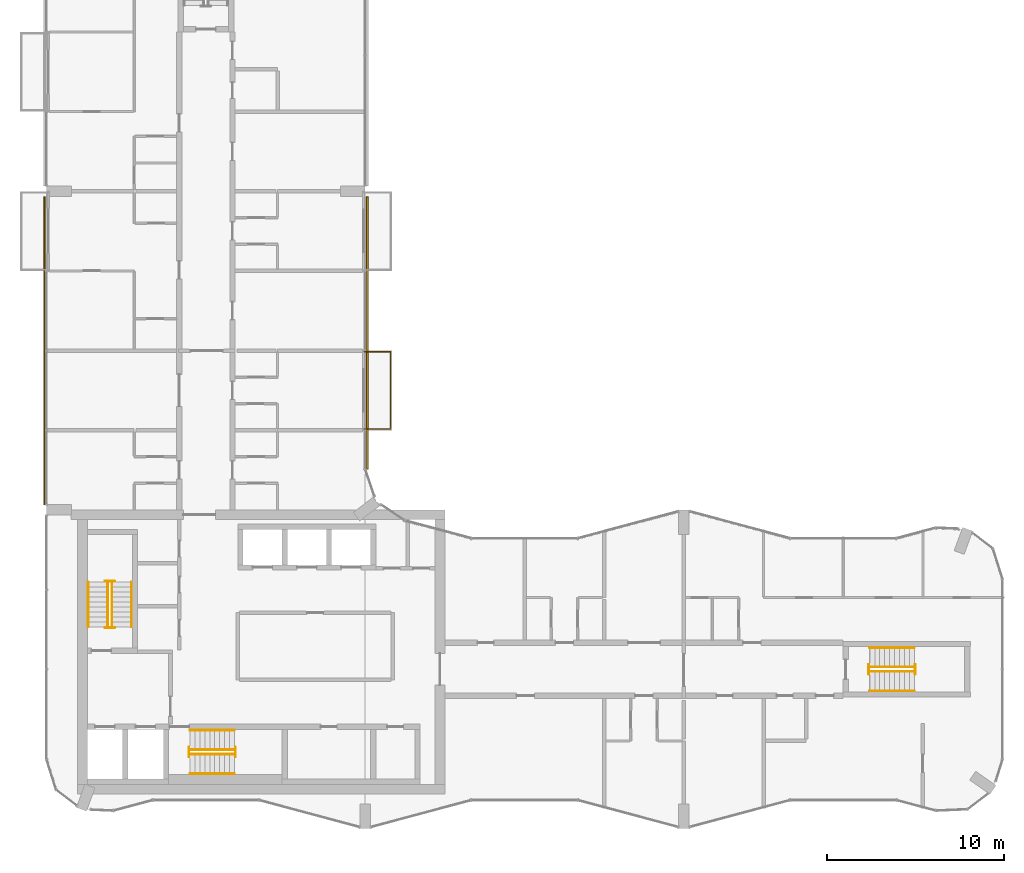
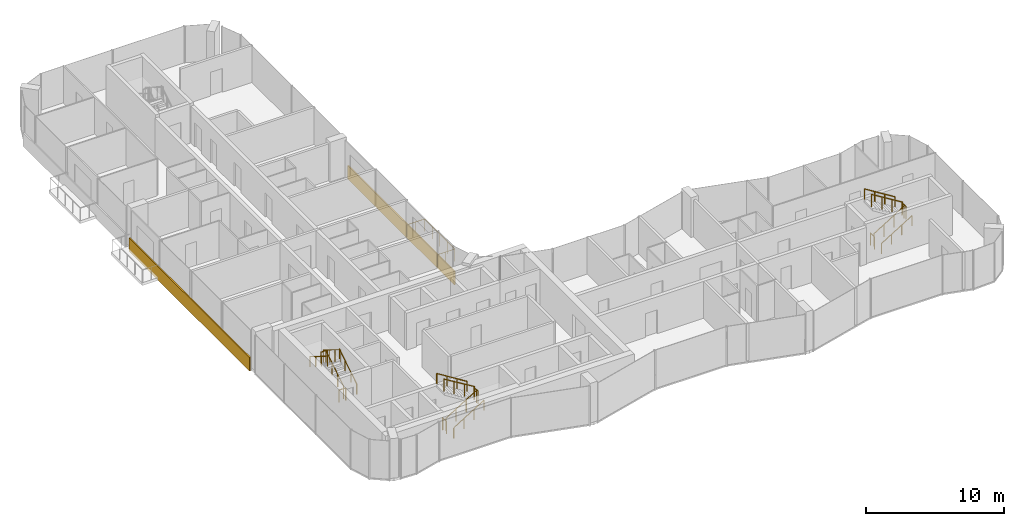
# One storey, part 14 of 15: 19 railings, 2 coverings.
"""IFC4 building model written with IfcOpenShell, lengths in metres."""

from ifc_helpers import new_model, si_unit, direction, frame, origin, origin_2d, place, context, subcontext, project, spatial, rectangle, circle, extrude, material, layer, layer_set, type_object, element, save


model = new_model("IFC4")

# Units and contexts
model_context = context("Model", 3, precision=1e-05, world=origin(), true_north=direction((0.0, 1.0)))
body_context = subcontext(model_context, "Body", "Model", "MODEL_VIEW")
ifc_project = project(units=[si_unit("LENGTHUNIT", "METRE"), si_unit("AREAUNIT", "SQUARE_METRE"), si_unit("VOLUMEUNIT", "CUBIC_METRE"), si_unit("PLANEANGLEUNIT", "RADIAN"), si_unit("MASSUNIT", "GRAM", prefix="KILO")], contexts=[model_context])

# Site, building, storey
site_placement = place(None, origin())
site = spatial("IfcSite", under=ifc_project, at=site_placement, CompositionType="ELEMENT")
building_placement = place(site_placement, origin())
building = spatial("IfcBuilding", under=site, at=building_placement, Name="Plateau Cross Towers", CompositionType="ELEMENT")
storey_placement = place(building_placement, frame((0.0, 0.0, 177.89990234375)))
storey = spatial("IfcBuildingStorey", under=building, at=storey_placement, Name="L46", CompositionType="ELEMENT", Elevation=177.89990234375)

# Railings
ifc_material_1 = material(Name="Stainless steel and toughened glass", Category="steel")
railing_type_1 = type_object("IfcRailingType", Name="Glass balustrade guard 1100", PredefinedType="GUARDRAIL", material=ifc_material_1)
railing_1_placement = place(storey_placement, frame((17.949951171875, 26.929931640625, 0.0)))
element("IfcRailing", 1, at=railing_1_placement, inside=storey, type_object=railing_type_1, Name="Guard guard1", PredefinedType="GUARDRAIL", context=body_context, shape_type="SweptSolid", body=[
    extrude(circle(Radius=0.02392578125, at=origin_2d()), frame((0.0, 0.0, 1.076171875), z_axis=(1.0, 0.0, 0.0), x_axis=(0.0, 1.0, 0.0)), (0.0, 0.0, 1.0), 1.47998046875),
    extrude(circle(Radius=0.02392578125, at=origin_2d()), frame((1.47998046875, 0.0, 1.076171875), z_axis=(0.0, -1.0, 0.0), x_axis=(1.0, 0.0, 0.0)), (0.0, 0.0, 1.0), 4.35986328125),
    extrude(circle(Radius=0.02392578125, at=origin_2d()), frame((1.47998046875, -4.35986328125, 1.076171875), z_axis=(-1.0, 0.0, 0.0), x_axis=(0.0, -1.0, 0.0)), (0.0, 0.0, 1.0), 1.47998046875),
    extrude(circle(Radius=0.02099609375, at=origin_2d()), origin(), (0.0, 0.0, 1.0), 1.052001953125),
    extrude(circle(Radius=0.02099609375, at=origin_2d()), frame((0.739990234375, 0.0, 0.0)), (0.0, 0.0, 1.0), 1.052001953125),
    extrude(circle(Radius=0.02099609375, at=origin_2d()), frame((1.47998046875, 0.0, 0.0)), (0.0, 0.0, 1.0), 1.052001953125),
    extrude(circle(Radius=0.02099609375, at=origin_2d()), frame((1.47998046875, -1.08984375, 0.0)), (0.0, 0.0, 1.0), 1.052001953125),
    extrude(circle(Radius=0.02099609375, at=origin_2d()), frame((1.47998046875, -2.179931640625, 0.0)), (0.0, 0.0, 1.0), 1.052001953125),
    extrude(circle(Radius=0.02099609375, at=origin_2d()), frame((1.47998046875, -3.27001953125, 0.0)), (0.0, 0.0, 1.0), 1.052001953125),
    extrude(circle(Radius=0.02099609375, at=origin_2d()), frame((1.47998046875, -4.35986328125, 0.0)), (0.0, 0.0, 1.0), 1.052001953125),
    extrude(circle(Radius=0.02099609375, at=origin_2d()), frame((0.739990234375, -4.35986328125, 0.0)), (0.0, 0.0, 1.0), 1.052001953125),
    extrude(circle(Radius=0.02099609375, at=origin_2d()), frame((0.0, -4.35986328125, 0.0)), (0.0, 0.0, 1.0), 1.052001953125),
])
railing_type_2 = type_object("IfcRailingType", Name="RL-GUARD-1100", PredefinedType="GUARDRAIL", material=ifc_material_1)
railing_2_placement = place(storey_placement, frame((3.699951171875, 11.39990234375, 0.175048828125)))
element("IfcRailing", 2, at=railing_2_placement, inside=storey, type_object=railing_type_2, Name="L46 ST-1 stair guard 1", PredefinedType="GUARDRAIL", context=body_context, shape_type="SweptSolid", body=[
    extrude(circle(Radius=0.02392578125, at=origin_2d()), frame((0.0, 0.0, 1.076171875), z_axis=(0.0, 0.848007534815, 0.529984170421), x_axis=(-1.0, 0.0, 0.0)), (0.0, 0.0, 1.0), 2.9716796875),
    extrude(circle(Radius=0.02099609375, at=origin_2d()), origin(), (0.0, 0.0, 1.0), 1.052001953125),
    extrude(circle(Radius=0.02099609375, at=origin_2d()), frame((0.0, 0.840087890625, 0.52490234375)), (0.0, 0.0, 1.0), 1.052001953125),
    extrude(circle(Radius=0.02099609375, at=origin_2d()), frame((0.0, 1.679931640625, 1.050048828125)), (0.0, 0.0, 1.0), 1.052001953125),
    extrude(circle(Radius=0.02099609375, at=origin_2d()), frame((0.0, 2.52001953125, 1.574951171875)), (0.0, 0.0, 1.0), 1.052001953125),
])
railing_3_placement = place(storey_placement, frame((3.85009765625, 13.969970703125, 1.75)))
element("IfcRailing", 3, at=railing_3_placement, inside=storey, type_object=railing_type_2, Name="L46 ST-1 stair guard 2", PredefinedType="GUARDRAIL", context=body_context, shape_type="SweptSolid", body=[
    extrude(circle(Radius=0.02392578125, at=origin_2d()), frame((0.0, 0.0, 1.076171875), z_axis=(-1.0, 0.0, 0.0), x_axis=(0.0, -1.0, 0.0)), (0.0, 0.0, 1.0), 0.550048828125),
    extrude(circle(Radius=0.02099609375, at=origin_2d()), origin(), (0.0, 0.0, 1.0), 1.052001953125),
    extrude(circle(Radius=0.02099609375, at=origin_2d()), frame((-0.550048828125, 0.0, 0.0)), (0.0, 0.0, 1.0), 1.052001953125),
])
railing_4_placement = place(storey_placement, frame((3.449951171875, 13.919921875, 1.925048828125)))
element("IfcRailing", 4, at=railing_4_placement, inside=storey, type_object=railing_type_2, Name="L46 ST-1 stair guard 3", PredefinedType="GUARDRAIL", context=body_context, shape_type="SweptSolid", body=[
    extrude(circle(Radius=0.02392578125, at=origin_2d()), frame((0.0, 0.0, 1.076171875), z_axis=(0.0, -0.852616386126, 0.522537365276), x_axis=(1.0, 0.0, 0.0)), (0.0, 0.0, 1.0), 3.01416015625),
    extrude(circle(Radius=0.02099609375, at=origin_2d()), origin(), (0.0, 0.0, 1.0), 1.052001953125),
    extrude(circle(Radius=0.02099609375, at=origin_2d()), frame((0.0, -0.856689453125, 0.52490234375)), (0.0, 0.0, 1.0), 1.052001953125),
    extrude(circle(Radius=0.02099609375, at=origin_2d()), frame((0.0, -1.713134765625, 1.050048828125)), (0.0, 0.0, 1.0), 1.052001953125),
    extrude(circle(Radius=0.02099609375, at=origin_2d()), frame((0.0, -2.56982421875, 1.574951171875)), (0.0, 0.0, 1.0), 1.052001953125),
])
railing_5_placement = place(storey_placement, frame((3.85009765625, 11.35009765625, 0.0)))
element("IfcRailing", 5, at=railing_5_placement, inside=storey, type_object=railing_type_2, Name="L46 ST-1 stair guard 4", PredefinedType="GUARDRAIL", context=body_context, shape_type="SweptSolid", body=[
    extrude(circle(Radius=0.02392578125, at=origin_2d()), frame((0.0, 0.0, 1.076171875), z_axis=(-1.0, 0.0, 0.0), x_axis=(0.0, -1.0, 0.0)), (0.0, 0.0, 1.0), 0.550048828125),
    extrude(circle(Radius=0.02099609375, at=origin_2d()), origin(), (0.0, 0.0, 1.0), 1.052001953125),
    extrude(circle(Radius=0.02099609375, at=origin_2d()), frame((-0.550048828125, 0.0, 0.0)), (0.0, 0.0, 1.0), 1.052001953125),
])
railing_6_placement = place(storey_placement, frame((8.10009765625, 4.199951171875, 0.175048828125)))
element("IfcRailing", 6, at=railing_6_placement, inside=storey, type_object=railing_type_2, Name="L46 ST-2 stair guard 1", PredefinedType="GUARDRAIL", context=body_context, shape_type="SweptSolid", body=[
    extrude(circle(Radius=0.02392578125, at=origin_2d()), frame((0.0, 0.0, 1.076171875), z_axis=(0.848007534815, 0.0, 0.529984170421), x_axis=(0.0, 1.0, 0.0)), (0.0, 0.0, 1.0), 2.9716796875),
    extrude(circle(Radius=0.02099609375, at=origin_2d()), origin(), (0.0, 0.0, 1.0), 1.052001953125),
    extrude(circle(Radius=0.02099609375, at=origin_2d()), frame((0.840087890625, 0.0, 0.52490234375)), (0.0, 0.0, 1.0), 1.052001953125),
    extrude(circle(Radius=0.02099609375, at=origin_2d()), frame((1.679931640625, 0.0, 1.050048828125)), (0.0, 0.0, 1.0), 1.052001953125),
    extrude(circle(Radius=0.02099609375, at=origin_2d()), frame((2.52001953125, 0.0, 1.574951171875)), (0.0, 0.0, 1.0), 1.052001953125),
])
railing_7_placement = place(storey_placement, frame((10.669921875, 4.050048828125, 1.75)))
element("IfcRailing", 7, at=railing_7_placement, inside=storey, type_object=railing_type_2, Name="L46 ST-2 stair guard 2", PredefinedType="GUARDRAIL", context=body_context, shape_type="SweptSolid", body=[
    extrude(circle(Radius=0.02392578125, at=origin_2d()), frame((0.0, 0.0, 1.076171875), z_axis=(0.0, 1.0, 0.0), x_axis=(-1.0, 0.0, 0.0)), (0.0, 0.0, 1.0), 0.550048828125),
    extrude(circle(Radius=0.02099609375, at=origin_2d()), origin(), (0.0, 0.0, 1.0), 1.052001953125),
    extrude(circle(Radius=0.02099609375, at=origin_2d()), frame((0.0, 0.550048828125, 0.0)), (0.0, 0.0, 1.0), 1.052001953125),
])
railing_8_placement = place(storey_placement, frame((10.6201171875, 4.449951171875, 1.925048828125)))
element("IfcRailing", 8, at=railing_8_placement, inside=storey, type_object=railing_type_2, Name="L46 ST-2 stair guard 3", PredefinedType="GUARDRAIL", context=body_context, shape_type="SweptSolid", body=[
    extrude(circle(Radius=0.02392578125, at=origin_2d()), frame((0.0, 0.0, 1.076171875), z_axis=(-0.852638500773, 0.0, 0.522501279423), x_axis=(0.0, -1.0, 0.0)), (0.0, 0.0, 1.0), 3.01416015625),
    extrude(circle(Radius=0.02099609375, at=origin_2d()), origin(), (0.0, 0.0, 1.0), 1.052001953125),
    extrude(circle(Radius=0.02099609375, at=origin_2d()), frame((-0.856689453125, 0.0, 0.52490234375)), (0.0, 0.0, 1.0), 1.052001953125),
    extrude(circle(Radius=0.02099609375, at=origin_2d()), frame((-1.71337890625, 0.0, 1.050048828125)), (0.0, 0.0, 1.0), 1.052001953125),
    extrude(circle(Radius=0.02099609375, at=origin_2d()), frame((-2.570068359375, 0.0, 1.574951171875)), (0.0, 0.0, 1.0), 1.052001953125),
])
railing_9_placement = place(storey_placement, frame((8.050048828125, 4.050048828125, 0.0)))
element("IfcRailing", 9, at=railing_9_placement, inside=storey, type_object=railing_type_2, Name="L46 ST-2 stair guard 4", PredefinedType="GUARDRAIL", context=body_context, shape_type="SweptSolid", body=[
    extrude(circle(Radius=0.02392578125, at=origin_2d()), frame((0.0, 0.0, 1.076171875), z_axis=(0.0, 1.0, 0.0), x_axis=(-1.0, 0.0, 0.0)), (0.0, 0.0, 1.0), 0.550048828125),
    extrude(circle(Radius=0.02099609375, at=origin_2d()), origin(), (0.0, 0.0, 1.0), 1.052001953125),
    extrude(circle(Radius=0.02099609375, at=origin_2d()), frame((0.0, 0.550048828125, 0.0)), (0.0, 0.0, 1.0), 1.052001953125),
])
railing_10_placement = place(storey_placement, frame((46.5, 8.875, 0.175048828125)))
element("IfcRailing", 10, at=railing_10_placement, inside=storey, type_object=railing_type_2, Name="L46 ES-E stair guard 1", PredefinedType="GUARDRAIL", context=body_context, shape_type="SweptSolid", body=[
    extrude(circle(Radius=0.02392578125, at=origin_2d()), frame((0.0, 0.0, 1.076171875), z_axis=(0.848007534815, 0.0, 0.529984170421), x_axis=(0.0, 1.0, 0.0)), (0.0, 0.0, 1.0), 2.9716796875),
    extrude(circle(Radius=0.02099609375, at=origin_2d()), origin(), (0.0, 0.0, 1.0), 1.052001953125),
    extrude(circle(Radius=0.02099609375, at=origin_2d()), frame((0.840087890625, 0.0, 0.52490234375)), (0.0, 0.0, 1.0), 1.052001953125),
    extrude(circle(Radius=0.02099609375, at=origin_2d()), frame((1.679931640625, 0.0, 1.050048828125)), (0.0, 0.0, 1.0), 1.052001953125),
    extrude(circle(Radius=0.02099609375, at=origin_2d()), frame((2.52001953125, 0.0, 1.574951171875)), (0.0, 0.0, 1.0), 1.052001953125),
])
railing_11_placement = place(storey_placement, frame((49.070068359375, 8.72509765625, 1.75)))
element("IfcRailing", 11, at=railing_11_placement, inside=storey, type_object=railing_type_2, Name="L46 ES-E stair guard 2", PredefinedType="GUARDRAIL", context=body_context, shape_type="SweptSolid", body=[
    extrude(circle(Radius=0.02392578125, at=origin_2d()), frame((0.0, 0.0, 1.076171875), z_axis=(0.0, 1.0, 0.0), x_axis=(-1.0, 0.0, 0.0)), (0.0, 0.0, 1.0), 0.5498046875),
    extrude(circle(Radius=0.02099609375, at=origin_2d()), origin(), (0.0, 0.0, 1.0), 1.052001953125),
    extrude(circle(Radius=0.02099609375, at=origin_2d()), frame((0.0, 0.5498046875, 0.0)), (0.0, 0.0, 1.0), 1.052001953125),
])
railing_12_placement = place(storey_placement, frame((49.02001953125, 9.125, 1.925048828125)))
element("IfcRailing", 12, at=railing_12_placement, inside=storey, type_object=railing_type_2, Name="L46 ES-E stair guard 3", PredefinedType="GUARDRAIL", context=body_context, shape_type="SweptSolid", body=[
    extrude(circle(Radius=0.02392578125, at=origin_2d()), frame((0.0, 0.0, 1.076171875), z_axis=(-0.852638500773, 0.0, 0.522501279423), x_axis=(0.0, -1.0, 0.0)), (0.0, 0.0, 1.0), 3.01416015625),
    extrude(circle(Radius=0.02099609375, at=origin_2d()), origin(), (0.0, 0.0, 1.0), 1.052001953125),
    extrude(circle(Radius=0.02099609375, at=origin_2d()), frame((-0.856689453125, 0.0, 0.52490234375)), (0.0, 0.0, 1.0), 1.052001953125),
    extrude(circle(Radius=0.02099609375, at=origin_2d()), frame((-1.71337890625, 0.0, 1.050048828125)), (0.0, 0.0, 1.0), 1.052001953125),
    extrude(circle(Radius=0.02099609375, at=origin_2d()), frame((-2.570068359375, 0.0, 1.574951171875)), (0.0, 0.0, 1.0), 1.052001953125),
])
railing_13_placement = place(storey_placement, frame((46.449951171875, 8.72509765625, 0.0)))
element("IfcRailing", 13, at=railing_13_placement, inside=storey, type_object=railing_type_2, Name="L46 ES-E stair guard 4", PredefinedType="GUARDRAIL", context=body_context, shape_type="SweptSolid", body=[
    extrude(circle(Radius=0.02392578125, at=origin_2d()), frame((0.0, 0.0, 1.076171875), z_axis=(0.0, 1.0, 0.0), x_axis=(-1.0, 0.0, 0.0)), (0.0, 0.0, 1.0), 0.5498046875),
    extrude(circle(Radius=0.02099609375, at=origin_2d()), origin(), (0.0, 0.0, 1.0), 1.052001953125),
    extrude(circle(Radius=0.02099609375, at=origin_2d()), frame((0.0, 0.5498046875, 0.0)), (0.0, 0.0, 1.0), 1.052001953125),
])
ifc_material_2 = material(Name="Black anodised aluminium", Category="aluminium")
railing_type_3 = type_object("IfcRailingType", Name="RL-HANDRAIL-900", PredefinedType="HANDRAIL", material=ifc_material_2)
railing_14_placement = place(storey_placement, frame((4.800048828125, 11.39990234375, 0.175048828125)))
element("IfcRailing", 14, at=railing_14_placement, inside=storey, type_object=railing_type_3, Name="L46 ST-1 stair handrail 1", PredefinedType="HANDRAIL", context=body_context, shape_type="SweptSolid", body=[
    extrude(circle(Radius=0.02392578125, at=origin_2d()), frame((0.0, 0.0, 0.8759765625), z_axis=(0.0, 0.848007534815, 0.529984170421), x_axis=(-1.0, 0.0, 0.0)), (0.0, 0.0, 1.0), 2.9716796875),
    extrude(circle(Radius=0.02099609375, at=origin_2d()), origin(), (0.0, 0.0, 1.0), 0.851806640625),
    extrude(circle(Radius=0.02099609375, at=origin_2d()), frame((0.0, 0.840087890625, 0.52490234375)), (0.0, 0.0, 1.0), 0.851806640625),
    extrude(circle(Radius=0.02099609375, at=origin_2d()), frame((0.0, 1.679931640625, 1.050048828125)), (0.0, 0.0, 1.0), 0.851806640625),
    extrude(circle(Radius=0.02099609375, at=origin_2d()), frame((0.0, 2.52001953125, 1.574951171875)), (0.0, 0.0, 1.0), 0.851806640625),
])
railing_15_placement = place(storey_placement, frame((2.35009765625, 13.919921875, 1.925048828125)))
element("IfcRailing", 15, at=railing_15_placement, inside=storey, type_object=railing_type_3, Name="L46 ST-1 stair handrail 2", PredefinedType="HANDRAIL", context=body_context, shape_type="SweptSolid", body=[
    extrude(circle(Radius=0.02392578125, at=origin_2d()), frame((0.0, 0.0, 0.8759765625), z_axis=(0.0, -0.848007534815, 0.529984170421), x_axis=(1.0, 0.0, 0.0)), (0.0, 0.0, 1.0), 2.9716796875),
    extrude(circle(Radius=0.02099609375, at=origin_2d()), origin(), (0.0, 0.0, 1.0), 0.851806640625),
    extrude(circle(Radius=0.02099609375, at=origin_2d()), frame((0.0, -0.840087890625, 0.52490234375)), (0.0, 0.0, 1.0), 0.851806640625),
    extrude(circle(Radius=0.02099609375, at=origin_2d()), frame((0.0, -1.679931640625, 1.050048828125)), (0.0, 0.0, 1.0), 0.851806640625),
    extrude(circle(Radius=0.02099609375, at=origin_2d()), frame((0.0, -2.52001953125, 1.574951171875)), (0.0, 0.0, 1.0), 0.851806640625),
])
railing_16_placement = place(storey_placement, frame((8.10009765625, 3.10009765625, 0.175048828125)))
element("IfcRailing", 16, at=railing_16_placement, inside=storey, type_object=railing_type_3, Name="L46 ST-2 stair handrail 1", PredefinedType="HANDRAIL", context=body_context, shape_type="SweptSolid", body=[
    extrude(circle(Radius=0.02392578125, at=origin_2d()), frame((0.0, 0.0, 0.8759765625), z_axis=(0.848007534815, 0.0, 0.529984170421), x_axis=(0.0, 1.0, 0.0)), (0.0, 0.0, 1.0), 2.9716796875),
    extrude(circle(Radius=0.02099609375, at=origin_2d()), origin(), (0.0, 0.0, 1.0), 0.851806640625),
    extrude(circle(Radius=0.02099609375, at=origin_2d()), frame((0.840087890625, 0.0, 0.52490234375)), (0.0, 0.0, 1.0), 0.851806640625),
    extrude(circle(Radius=0.02099609375, at=origin_2d()), frame((1.679931640625, 0.0, 1.050048828125)), (0.0, 0.0, 1.0), 0.851806640625),
    extrude(circle(Radius=0.02099609375, at=origin_2d()), frame((2.52001953125, 0.0, 1.574951171875)), (0.0, 0.0, 1.0), 0.851806640625),
])
railing_17_placement = place(storey_placement, frame((10.6201171875, 5.550048828125, 1.925048828125)))
element("IfcRailing", 17, at=railing_17_placement, inside=storey, type_object=railing_type_3, Name="L46 ST-2 stair handrail 2", PredefinedType="HANDRAIL", context=body_context, shape_type="SweptSolid", body=[
    extrude(circle(Radius=0.02392578125, at=origin_2d()), frame((0.0, 0.0, 0.8759765625), z_axis=(-0.848007534815, 0.0, 0.529984170421), x_axis=(0.0, -1.0, 0.0)), (0.0, 0.0, 1.0), 2.9716796875),
    extrude(circle(Radius=0.02099609375, at=origin_2d()), origin(), (0.0, 0.0, 1.0), 0.851806640625),
    extrude(circle(Radius=0.02099609375, at=origin_2d()), frame((-0.840087890625, 0.0, 0.52490234375)), (0.0, 0.0, 1.0), 0.851806640625),
    extrude(circle(Radius=0.02099609375, at=origin_2d()), frame((-1.679931640625, 0.0, 1.050048828125)), (0.0, 0.0, 1.0), 0.851806640625),
    extrude(circle(Radius=0.02099609375, at=origin_2d()), frame((-2.52001953125, 0.0, 1.574951171875)), (0.0, 0.0, 1.0), 0.851806640625),
])
railing_18_placement = place(storey_placement, frame((46.5, 7.77490234375, 0.175048828125)))
element("IfcRailing", 18, at=railing_18_placement, inside=storey, type_object=railing_type_3, Name="L46 ES-E stair handrail 1", PredefinedType="HANDRAIL", context=body_context, shape_type="SweptSolid", body=[
    extrude(circle(Radius=0.02392578125, at=origin_2d()), frame((0.0, 0.0, 0.8759765625), z_axis=(0.848007534815, 0.0, 0.529984170421), x_axis=(0.0, 1.0, 0.0)), (0.0, 0.0, 1.0), 2.9716796875),
    extrude(circle(Radius=0.02099609375, at=origin_2d()), origin(), (0.0, 0.0, 1.0), 0.851806640625),
    extrude(circle(Radius=0.02099609375, at=origin_2d()), frame((0.840087890625, 0.0, 0.52490234375)), (0.0, 0.0, 1.0), 0.851806640625),
    extrude(circle(Radius=0.02099609375, at=origin_2d()), frame((1.679931640625, 0.0, 1.050048828125)), (0.0, 0.0, 1.0), 0.851806640625),
    extrude(circle(Radius=0.02099609375, at=origin_2d()), frame((2.52001953125, 0.0, 1.574951171875)), (0.0, 0.0, 1.0), 0.851806640625),
])
railing_19_placement = place(storey_placement, frame((49.02001953125, 10.22509765625, 1.925048828125)))
element("IfcRailing", 19, at=railing_19_placement, inside=storey, type_object=railing_type_3, Name="L46 ES-E stair handrail 2", PredefinedType="HANDRAIL", context=body_context, shape_type="SweptSolid", body=[
    extrude(circle(Radius=0.02392578125, at=origin_2d()), frame((0.0, 0.0, 0.8759765625), z_axis=(-0.848007534815, 0.0, 0.529984170421), x_axis=(0.0, -1.0, 0.0)), (0.0, 0.0, 1.0), 2.9716796875),
    extrude(circle(Radius=0.02099609375, at=origin_2d()), origin(), (0.0, 0.0, 1.0), 0.851806640625),
    extrude(circle(Radius=0.02099609375, at=origin_2d()), frame((-0.840087890625, 0.0, 0.52490234375)), (0.0, 0.0, 1.0), 0.851806640625),
    extrude(circle(Radius=0.02099609375, at=origin_2d()), frame((-1.679931640625, 0.0, 1.050048828125)), (0.0, 0.0, 1.0), 0.851806640625),
    extrude(circle(Radius=0.02099609375, at=origin_2d()), frame((-2.52001953125, 0.0, 1.574951171875)), (0.0, 0.0, 1.0), 0.851806640625),
])

# Coverings
ifc_material_3 = material(Name="Precast concrete cladding C40/50", Category="concrete")
ifc_layer = layer(ifc_material_3, 0.10009765625)
ifc_layer_set = layer_set([ifc_layer], Name="Precast concrete cladding C40/50")
covering_type = type_object("IfcCoveringType", Name="Spandrel band cladding 100x1200", PredefinedType="CLADDING", material=ifc_layer_set)
covering_1_placement = place(storey_placement, frame((18.1201171875, 28.001220703125, -0.25), z_axis=(0.0, 0.0, 1.0), x_axis=(0.0, 1.0, 0.0)))
element("IfcCovering", 20, at=covering_1_placement, inside=storey, type_object=covering_type, Name="Spandrel band", PredefinedType="CLADDING", context=body_context, shape_type="SweptSolid", body=[
    extrude(rectangle(XDim=15.397705078125, YDim=0.10009765625, at=origin_2d()), origin(), (0.0, 0.0, 1.0), 1.199951171875),
])
covering_2_placement = place(storey_placement, frame((-0.1201171875, 27.0, -0.25), z_axis=(0.0, 0.0, 1.0), x_axis=(0.0, -1.0, 0.0)))
element("IfcCovering", 21, at=covering_2_placement, inside=storey, type_object=covering_type, Name="Spandrel band", PredefinedType="CLADDING", context=body_context, shape_type="SweptSolid", body=[
    extrude(rectangle(XDim=17.39990234375, YDim=0.10009765625, at=origin_2d()), origin(), (0.0, 0.0, 1.0), 1.199951171875),
])

save(model, "model.ifc")
